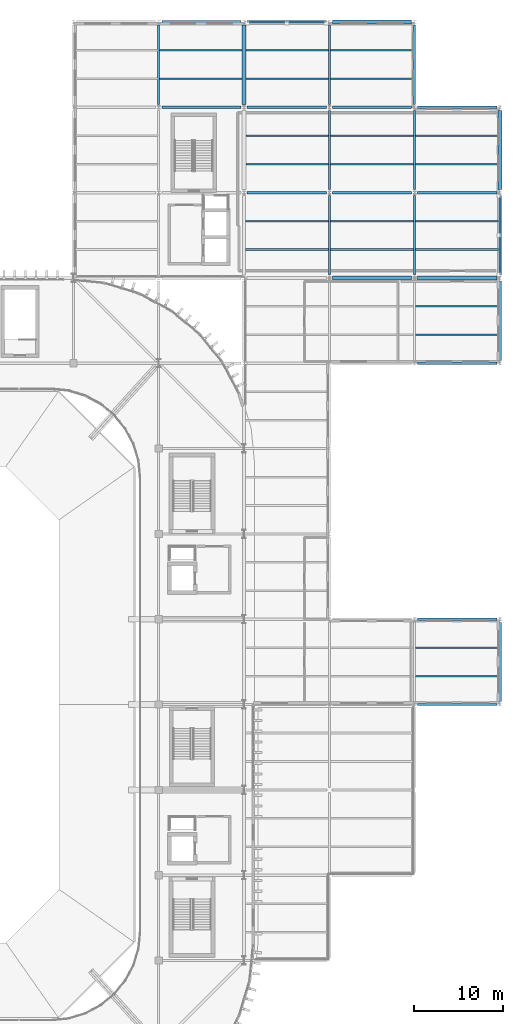
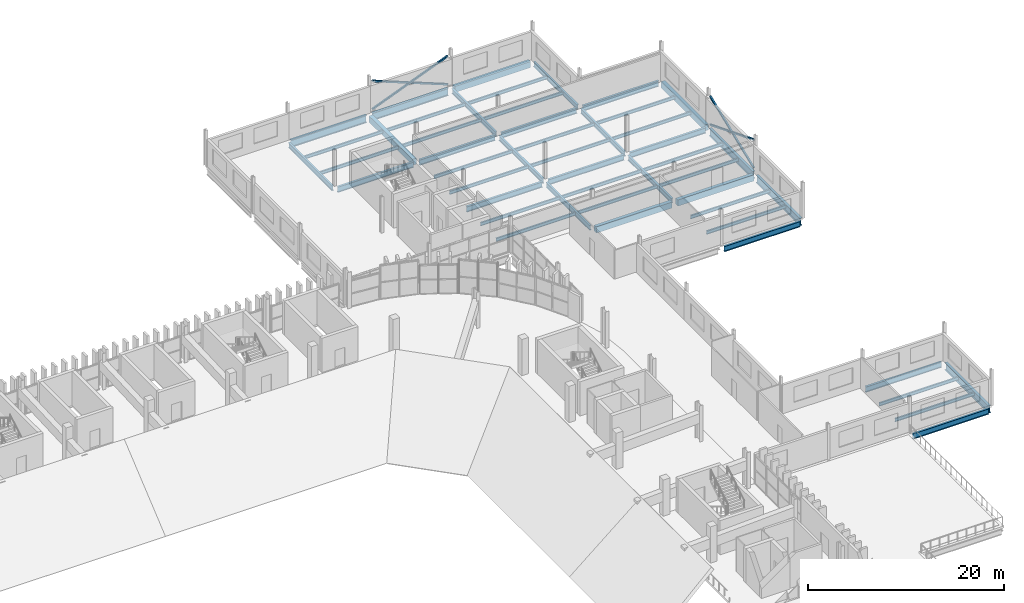
# One storey, part 34 of 69: 49 beams, 6 members.
"""IFC4 building model written with IfcOpenShell, lengths in metres."""

from ifc_helpers import new_model, si_unit, direction, frame, origin, origin_2d, place, context, subcontext, project, spatial, rectangle, hollow_rectangle, i_section, extrude, material, material_profile, profile_set, type_object, element, save


model = new_model("IFC4")

# Units and contexts
model_context = context("Model", 3, precision=1e-05, world=origin(), true_north=direction((0.0, 1.0)))
body_context = subcontext(model_context, "Body", "Model", "MODEL_VIEW")
ifc_project = project(units=[si_unit("LENGTHUNIT", "METRE"), si_unit("AREAUNIT", "SQUARE_METRE"), si_unit("VOLUMEUNIT", "CUBIC_METRE"), si_unit("PLANEANGLEUNIT", "RADIAN"), si_unit("MASSUNIT", "GRAM", prefix="KILO")], contexts=[model_context])

# Site, building, storey
site_placement = place(None, origin())
site = spatial("IfcSite", under=ifc_project, at=site_placement, CompositionType="ELEMENT")
building_placement = place(site_placement, origin())
building = spatial("IfcBuilding", under=site, at=building_placement, Name="Caelomonte Colonnade Arena", CompositionType="ELEMENT")
storey_placement = place(building_placement, frame((0.0, 0.0, 18.60009765625)))
storey = spatial("IfcBuildingStorey", under=building, at=storey_placement, Name="L04", CompositionType="ELEMENT", Elevation=18.60009765625)

# Members
ifc_material_1 = material(Name="Steel ASTM A500 Grade C", Category="steel")
ifc_material_profile_1 = material_profile(ifc_material_1, hollow_rectangle(XDim=0.203125, YDim=0.203125, WallThickness=0.009521484375, InnerFilletRadius=0.009521484375, OuterFilletRadius=0.01904296875, at=origin_2d()), Name="HSS203X203X9.5")
ifc_profile_set_1 = profile_set([ifc_material_profile_1], Name="Steel ASTM A500 Grade C")
member_type = type_object("IfcMemberType", Name="STR-BF-DIAG3", PredefinedType="BRACE", material=ifc_profile_set_1)
member_1_placement = place(storey_placement, frame((163.563720703125, 144.0, 0.161376953125), z_axis=(0.929625953896, 0.0, 0.368504526218), x_axis=(0.0, 1.0, 0.0)))
element("IfcMember", 1, at=member_1_placement, inside=storey, type_object=member_type, Name="Braced frame BF3 L04 continuous diagonal A", PredefinedType="BRACE", context=body_context, shape_type="SweptSolid", body=[
    extrude(hollow_rectangle(XDim=0.203125, YDim=0.203125, WallThickness=0.009521484375, InnerFilletRadius=0.009521484375, OuterFilletRadius=0.01904296875, at=origin_2d()), origin(), (0.0, 0.0, 1.0), 9.544189453125),
])
for number, where, z_axis, x_axis, name in (
    (2, (172.436279296875, 144.0, 0.161376953125), (-0.929637675465, 0.0, 0.368474954856), (0.0, -1.0, 0.0), "Braced frame BF3 L04 split diagonal B1"),
    (3, (167.84765625, 144.0, 1.98046875), (-0.929637675465, 0.0, 0.368474954856), (0.0, -1.0, 0.0), "Braced frame BF3 L04 split diagonal B2"),
):
    element("IfcMember", number, at=place(storey_placement, frame(where, z_axis=z_axis, x_axis=x_axis)), inside=storey, type_object=member_type, Name=name, PredefinedType="BRACE", context=body_context, shape_type="SweptSolid", body=[
        extrude(hollow_rectangle(XDim=0.203125, YDim=0.203125, WallThickness=0.009521484375, InnerFilletRadius=0.009521484375, OuterFilletRadius=0.01904296875, at=origin_2d()), origin(), (0.0, 0.0, 1.0), 4.608154296875),
    ])
member_2_placement = place(storey_placement, frame((192.0, 115.563720703125, 0.161376953125), z_axis=(0.0, 0.929625953896, 0.368504526218), x_axis=(-1.0, 0.0, 0.0)))
element("IfcMember", 4, at=member_2_placement, inside=storey, type_object=member_type, Name="Braced frame BF4 L04 continuous diagonal A", PredefinedType="BRACE", context=body_context, shape_type="SweptSolid", body=[
    extrude(hollow_rectangle(XDim=0.203125, YDim=0.203125, WallThickness=0.009521484375, InnerFilletRadius=0.009521484375, OuterFilletRadius=0.01904296875, at=origin_2d()), origin(), (0.0, 0.0, 1.0), 9.544189453125),
])
for number, where, z_axis, x_axis, name in (
    (5, (192.0, 124.436279296875, 0.161376953125), (0.0, -0.929637675465, 0.368474954856), (1.0, 0.0, 0.0), "Braced frame BF4 L04 split diagonal B1"),
    (6, (192.0, 119.84765625, 1.98046875), (0.0, -0.929637675465, 0.368474954856), (1.0, 0.0, 0.0), "Braced frame BF4 L04 split diagonal B2"),
):
    element("IfcMember", number, at=place(storey_placement, frame(where, z_axis=z_axis, x_axis=x_axis)), inside=storey, type_object=member_type, Name=name, PredefinedType="BRACE", context=body_context, shape_type="SweptSolid", body=[
        extrude(hollow_rectangle(XDim=0.203125, YDim=0.203125, WallThickness=0.009521484375, InnerFilletRadius=0.009521484375, OuterFilletRadius=0.01904296875, at=origin_2d()), origin(), (0.0, 0.0, 1.0), 4.608154296875),
    ])

# Beams
ifc_material_2 = material(Name="Wide-flange steel ASTM A992 Grade 50", Category="steel")
ifc_material_profile_2 = material_profile(ifc_material_2, i_section(OverallWidth=0.307861328125, OverallDepth=0.927001953125, WebThickness=0.019287109375, FlangeThickness=0.031982421875, FilletRadius=0.020263671875, at=origin_2d()), Name="W36X194")
ifc_profile_set_2 = profile_set([ifc_material_profile_2], Name="Wide-flange steel ASTM A992 Grade 50")
beam_type_1 = type_object("IfcBeamType", Name="STR-BM-EAVES2", PredefinedType="SPANDREL", material=ifc_profile_set_2)
for number, where, z_axis, x_axis, name in (
    (7, (153.94189453125, 144.0, -0.7236328125), (1.0, 0.0, 0.0), (0.0, 1.0, 0.0), "L04 girder BMX-L04-1536-1440"),
    (8, (163.5419921875, 144.0, -0.7236328125), (1.0, 0.0, 0.0), (0.0, 1.0, 0.0), "L04 girder BMX-L04-1632-1440"),
    (9, (192.0, 67.5419921875, -0.7236328125), (0.0, 1.0, 0.0), (-1.0, 0.0, 0.0), "L04 girder BMY-L04-1920-0672"),
    (10, (192.0, 105.94189453125, -0.7236328125), (0.0, 1.0, 0.0), (-1.0, 0.0, 0.0), "L04 girder BMY-L04-1920-1056"),
    (11, (192.0, 115.5419921875, -0.7236328125), (0.0, 1.0, 0.0), (-1.0, 0.0, 0.0), "L04 girder BMY-L04-1920-1152"),
):
    element("IfcBeam", number, at=place(storey_placement, frame(where, z_axis=z_axis, x_axis=x_axis)), inside=storey, type_object=beam_type_1, Name=name, PredefinedType="SPANDREL", context=body_context, shape_type="SweptSolid", body=[
        extrude(i_section(OverallWidth=0.307861328125, OverallDepth=0.927001953125, WebThickness=0.019287109375, FlangeThickness=0.031982421875, FilletRadius=0.020263671875, at=origin_2d()), origin(), (0.0, 0.0, 1.0), 8.916015625),
    ])
ifc_material_profile_3 = material_profile(ifc_material_2, i_section(OverallWidth=0.227783203125, OverallDepth=0.60205078125, WebThickness=0.010498046875, FlangeThickness=0.014892578125, FilletRadius=0.0126953125, at=origin_2d()), Name="W24X68")
ifc_profile_set_3 = profile_set([ifc_material_profile_3], Name="Wide-flange steel ASTM A992 Grade 50")
beam_type_2 = type_object("IfcBeamType", Name="STR-BM-GIRD24B", PredefinedType="SPANDREL", material=ifc_profile_set_3)
for number, where, z_axis, x_axis, name in (
    (12, (153.60009765625, 134.741943359375, -0.56103515625), (0.0, 1.0, 0.0), (-1.0, 0.0, 0.0), "L04 girder BMY-L04-1536-1344"),
    (13, (172.800048828125, 115.5419921875, -0.56103515625), (0.0, 1.0, 0.0), (-1.0, 0.0, 0.0), "L04 girder BMY-L04-1728-1152"),
    (14, (172.800048828125, 125.14208984375, -0.56103515625), (0.0, 1.0, 0.0), (-1.0, 0.0, 0.0), "L04 girder BMY-L04-1728-1248"),
    (15, (172.800048828125, 134.741943359375, -0.56103515625), (0.0, 1.0, 0.0), (-1.0, 0.0, 0.0), "L04 girder BMY-L04-1728-1344"),
    (16, (182.39990234375, 115.5419921875, -0.56103515625), (0.0, 1.0, 0.0), (-1.0, 0.0, 0.0), "L04 girder BMY-L04-1824-1152"),
    (17, (182.39990234375, 125.14208984375, -0.56103515625), (0.0, 1.0, 0.0), (-1.0, 0.0, 0.0), "L04 girder BMY-L04-1824-1248"),
    (18, (182.39990234375, 134.741943359375, -0.56103515625), (0.0, 1.0, 0.0), (-1.0, 0.0, 0.0), "L04 girder BMY-L04-1824-1344"),
):
    element("IfcBeam", number, at=place(storey_placement, frame(where, z_axis=z_axis, x_axis=x_axis)), inside=storey, type_object=beam_type_2, Name=name, PredefinedType="SPANDREL", context=body_context, shape_type="SweptSolid", body=[
        extrude(i_section(OverallWidth=0.227783203125, OverallDepth=0.60205078125, WebThickness=0.010498046875, FlangeThickness=0.014892578125, FilletRadius=0.0126953125, at=origin_2d()), origin(), (0.0, 0.0, 1.0), 8.916015625),
    ])
ifc_material_profile_4 = material_profile(ifc_material_2, i_section(OverallWidth=0.253662109375, OverallDepth=0.683349609375, WebThickness=0.012451171875, FlangeThickness=0.018798828125, FilletRadius=0.01513671875, at=origin_2d()), Name="W27X94")
ifc_profile_set_4 = profile_set([ifc_material_profile_4], Name="Wide-flange steel ASTM A992 Grade 50")
beam_type_3 = type_object("IfcBeamType", Name="STR-BM-GIRD27", PredefinedType="BEAM", material=ifc_profile_set_4)
for number, where, z_axis, x_axis, name in (
    (19, (182.741943359375, 67.199951171875, -0.601806640625), (1.0, 0.0, 0.0), (0.0, 1.0, 0.0), "L04 girder BMX-L04-1824-0672"),
    (20, (182.741943359375, 76.800048828125, -0.601806640625), (1.0, 0.0, 0.0), (0.0, 1.0, 0.0), "L04 girder BMX-L04-1824-0768"),
    (21, (182.741943359375, 105.60009765625, -0.601806640625), (1.0, 0.0, 0.0), (0.0, 1.0, 0.0), "L04 girder BMX-L04-1824-1056"),
    (22, (163.5419921875, 124.800048828125, -0.601806640625), (1.0, 0.0, 0.0), (0.0, 1.0, 0.0), "L04 girder BMX-L04-1632-1248"),
    (23, (173.14208984375, 124.800048828125, -0.601806640625), (1.0, 0.0, 0.0), (0.0, 1.0, 0.0), "L04 girder BMX-L04-1728-1248"),
    (24, (182.741943359375, 124.800048828125, -0.601806640625), (1.0, 0.0, 0.0), (0.0, 1.0, 0.0), "L04 girder BMX-L04-1824-1248"),
    (25, (153.94189453125, 134.39990234375, -0.601806640625), (1.0, 0.0, 0.0), (0.0, 1.0, 0.0), "L04 girder BMX-L04-1536-1344"),
    (26, (163.5419921875, 134.39990234375, -0.601806640625), (1.0, 0.0, 0.0), (0.0, 1.0, 0.0), "L04 girder BMX-L04-1632-1344"),
    (27, (173.14208984375, 134.39990234375, -0.601806640625), (1.0, 0.0, 0.0), (0.0, 1.0, 0.0), "L04 girder BMX-L04-1728-1344"),
    (28, (182.741943359375, 134.39990234375, -0.601806640625), (1.0, 0.0, 0.0), (0.0, 1.0, 0.0), "L04 girder BMX-L04-1824-1344"),
):
    element("IfcBeam", number, at=place(storey_placement, frame(where, z_axis=z_axis, x_axis=x_axis)), inside=storey, type_object=beam_type_3, Name=name, PredefinedType="BEAM", context=body_context, shape_type="SweptSolid", body=[
        extrude(i_section(OverallWidth=0.253662109375, OverallDepth=0.683349609375, WebThickness=0.012451171875, FlangeThickness=0.018798828125, FilletRadius=0.01513671875, at=origin_2d()), origin(), (0.0, 0.0, 1.0), 8.916015625),
    ])
ifc_material_profile_5 = material_profile(ifc_material_2, i_section(OverallWidth=0.177734375, OverallDepth=0.406494140625, WebThickness=0.0078125, FlangeThickness=0.0126953125, FilletRadius=0.01025390625, at=origin_2d()), Name="W16X40")
ifc_profile_set_5 = profile_set([ifc_material_profile_5], Name="Wide-flange steel ASTM A992 Grade 50")
beam_type_4 = type_object("IfcBeamType", Name="STR-BM-JOIST16", PredefinedType="JOIST", material=ifc_profile_set_5)
for number, where, z_axis, x_axis, name in (
    (29, (153.708984375, 137.60009765625, -0.46337890625), (1.0, 0.0, 0.0), (0.0, 1.0, 0.0), "L04 secondary joist 1"),
    (30, (153.708984375, 140.800048828125, -0.46337890625), (1.0, 0.0, 0.0), (0.0, 1.0, 0.0), "L04 secondary joist 2"),
):
    element("IfcBeam", number, at=place(storey_placement, frame(where, z_axis=z_axis, x_axis=x_axis)), inside=storey, type_object=beam_type_4, Name=name, PredefinedType="JOIST", context=body_context, shape_type="SweptSolid", body=[
        extrude(i_section(OverallWidth=0.177734375, OverallDepth=0.406494140625, WebThickness=0.0078125, FlangeThickness=0.0126953125, FilletRadius=0.01025390625, at=origin_2d()), origin(), (0.0, 0.0, 1.0), 9.27099609375),
    ])
for number, where, z_axis, x_axis, name in (
    (31, (163.348876953125, 118.39990234375, -0.46337890625), (1.0, 0.0, 0.0), (0.0, 1.0, 0.0), "L04 secondary joist 1"),
    (32, (163.348876953125, 121.60009765625, -0.46337890625), (1.0, 0.0, 0.0), (0.0, 1.0, 0.0), "L04 secondary joist 2"),
):
    element("IfcBeam", number, at=place(storey_placement, frame(where, z_axis=z_axis, x_axis=x_axis)), inside=storey, type_object=beam_type_4, Name=name, PredefinedType="JOIST", context=body_context, shape_type="SweptSolid", body=[
        extrude(i_section(OverallWidth=0.177734375, OverallDepth=0.406494140625, WebThickness=0.0078125, FlangeThickness=0.0126953125, FilletRadius=0.01025390625, at=origin_2d()), origin(), (0.0, 0.0, 1.0), 9.34228515625),
    ])
for number, where, z_axis, x_axis, name in (
    (33, (163.419921875, 128.0, -0.46337890625), (1.0, 0.0, 0.0), (0.0, 1.0, 0.0), "L04 secondary joist 1"),
    (34, (163.419921875, 131.199951171875, -0.46337890625), (1.0, 0.0, 0.0), (0.0, 1.0, 0.0), "L04 secondary joist 2"),
    (35, (163.419921875, 137.60009765625, -0.46337890625), (1.0, 0.0, 0.0), (0.0, 1.0, 0.0), "L04 secondary joist 1"),
    (36, (163.419921875, 140.800048828125, -0.46337890625), (1.0, 0.0, 0.0), (0.0, 1.0, 0.0), "L04 secondary joist 2"),
):
    element("IfcBeam", number, at=place(storey_placement, frame(where, z_axis=z_axis, x_axis=x_axis)), inside=storey, type_object=beam_type_4, Name=name, PredefinedType="JOIST", context=body_context, shape_type="SweptSolid", body=[
        extrude(i_section(OverallWidth=0.177734375, OverallDepth=0.406494140625, WebThickness=0.0078125, FlangeThickness=0.0126953125, FilletRadius=0.01025390625, at=origin_2d()), origin(), (0.0, 0.0, 1.0), 9.271240234375),
    ])
for number, where, z_axis, x_axis, name in (
    (37, (172.908935546875, 118.39990234375, -0.46337890625), (1.0, 0.0, 0.0), (0.0, 1.0, 0.0), "L04 secondary joist 1"),
    (38, (172.908935546875, 121.60009765625, -0.46337890625), (1.0, 0.0, 0.0), (0.0, 1.0, 0.0), "L04 secondary joist 2"),
    (39, (172.908935546875, 128.0, -0.46337890625), (1.0, 0.0, 0.0), (0.0, 1.0, 0.0), "L04 secondary joist 1"),
    (40, (172.908935546875, 131.199951171875, -0.46337890625), (1.0, 0.0, 0.0), (0.0, 1.0, 0.0), "L04 secondary joist 2"),
    (41, (172.908935546875, 137.60009765625, -0.46337890625), (1.0, 0.0, 0.0), (0.0, 1.0, 0.0), "L04 secondary joist 1"),
    (42, (172.908935546875, 140.800048828125, -0.46337890625), (1.0, 0.0, 0.0), (0.0, 1.0, 0.0), "L04 secondary joist 2"),
):
    element("IfcBeam", number, at=place(storey_placement, frame(where, z_axis=z_axis, x_axis=x_axis)), inside=storey, type_object=beam_type_4, Name=name, PredefinedType="JOIST", context=body_context, shape_type="SweptSolid", body=[
        extrude(i_section(OverallWidth=0.177734375, OverallDepth=0.406494140625, WebThickness=0.0078125, FlangeThickness=0.0126953125, FilletRadius=0.01025390625, at=origin_2d()), origin(), (0.0, 0.0, 1.0), 9.382080078125),
    ])
for number, where, z_axis, x_axis, name in (
    (43, (182.5087890625, 70.39990234375, -0.46337890625), (1.0, 0.0, 0.0), (0.0, 1.0, 0.0), "L04 secondary joist 1"),
    (44, (182.5087890625, 73.60009765625, -0.46337890625), (1.0, 0.0, 0.0), (0.0, 1.0, 0.0), "L04 secondary joist 2"),
    (45, (182.5087890625, 108.800048828125, -0.46337890625), (1.0, 0.0, 0.0), (0.0, 1.0, 0.0), "L04 secondary joist 1"),
    (46, (182.5087890625, 112.0, -0.46337890625), (1.0, 0.0, 0.0), (0.0, 1.0, 0.0), "L04 secondary joist 2"),
    (47, (182.5087890625, 118.39990234375, -0.46337890625), (1.0, 0.0, 0.0), (0.0, 1.0, 0.0), "L04 secondary joist 1"),
    (48, (182.5087890625, 121.60009765625, -0.46337890625), (1.0, 0.0, 0.0), (0.0, 1.0, 0.0), "L04 secondary joist 2"),
):
    element("IfcBeam", number, at=place(storey_placement, frame(where, z_axis=z_axis, x_axis=x_axis)), inside=storey, type_object=beam_type_4, Name=name, PredefinedType="JOIST", context=body_context, shape_type="SweptSolid", body=[
        extrude(i_section(OverallWidth=0.177734375, OverallDepth=0.406494140625, WebThickness=0.0078125, FlangeThickness=0.0126953125, FilletRadius=0.01025390625, at=origin_2d()), origin(), (0.0, 0.0, 1.0), 9.34228515625),
    ])
for number, where, z_axis, x_axis, name in (
    (49, (182.5087890625, 128.0, -0.46337890625), (1.0, 0.0, 0.0), (0.0, 1.0, 0.0), "L04 secondary joist 1"),
    (50, (182.5087890625, 131.199951171875, -0.46337890625), (1.0, 0.0, 0.0), (0.0, 1.0, 0.0), "L04 secondary joist 2"),
):
    element("IfcBeam", number, at=place(storey_placement, frame(where, z_axis=z_axis, x_axis=x_axis)), inside=storey, type_object=beam_type_4, Name=name, PredefinedType="JOIST", context=body_context, shape_type="SweptSolid", body=[
        extrude(i_section(OverallWidth=0.177734375, OverallDepth=0.406494140625, WebThickness=0.0078125, FlangeThickness=0.0126953125, FilletRadius=0.01025390625, at=origin_2d()), origin(), (0.0, 0.0, 1.0), 9.271240234375),
    ])
ifc_material_3 = material(Name="Concrete C40/50", Category="concrete")
ifc_material_profile_6 = material_profile(ifc_material_3, rectangle(XDim=0.449951171875, YDim=0.75, at=origin_2d()), Name="RC450X750")
ifc_profile_set_6 = profile_set([ifc_material_profile_6], Name="Concrete C40/50")
beam_type_5 = type_object("IfcBeamType", Name="STR-BM-SPAN24", PredefinedType="SPANDREL", material=ifc_profile_set_6)
for number, where, z_axis, x_axis, name in (
    (51, (173.14208984375, 115.199951171875, -0.635009765625), (1.0, 0.0, 0.0), (0.0, 1.0, 0.0), "L04 girder BMX-L04-1728-1152"),
    (52, (182.741943359375, 115.199951171875, -0.635009765625), (1.0, 0.0, 0.0), (0.0, 1.0, 0.0), "L04 girder BMX-L04-1824-1152"),
    (53, (173.14208984375, 144.0, -0.635009765625), (1.0, 0.0, 0.0), (0.0, 1.0, 0.0), "L04 girder BMX-L04-1728-1440"),
    (54, (163.199951171875, 134.741943359375, -0.635009765625), (0.0, 1.0, 0.0), (-1.0, 0.0, 0.0), "L04 girder BMY-L04-1632-1344"),
    (55, (192.0, 125.14208984375, -0.635009765625), (0.0, 1.0, 0.0), (-1.0, 0.0, 0.0), "L04 girder BMY-L04-1920-1248"),
):
    element("IfcBeam", number, at=place(storey_placement, frame(where, z_axis=z_axis, x_axis=x_axis)), inside=storey, type_object=beam_type_5, Name=name, PredefinedType="SPANDREL", context=body_context, shape_type="SweptSolid", body=[
        extrude(rectangle(XDim=0.449951171875, YDim=0.75, at=origin_2d()), origin(), (0.0, 0.0, 1.0), 8.916015625),
    ])

save(model, "model.ifc")
